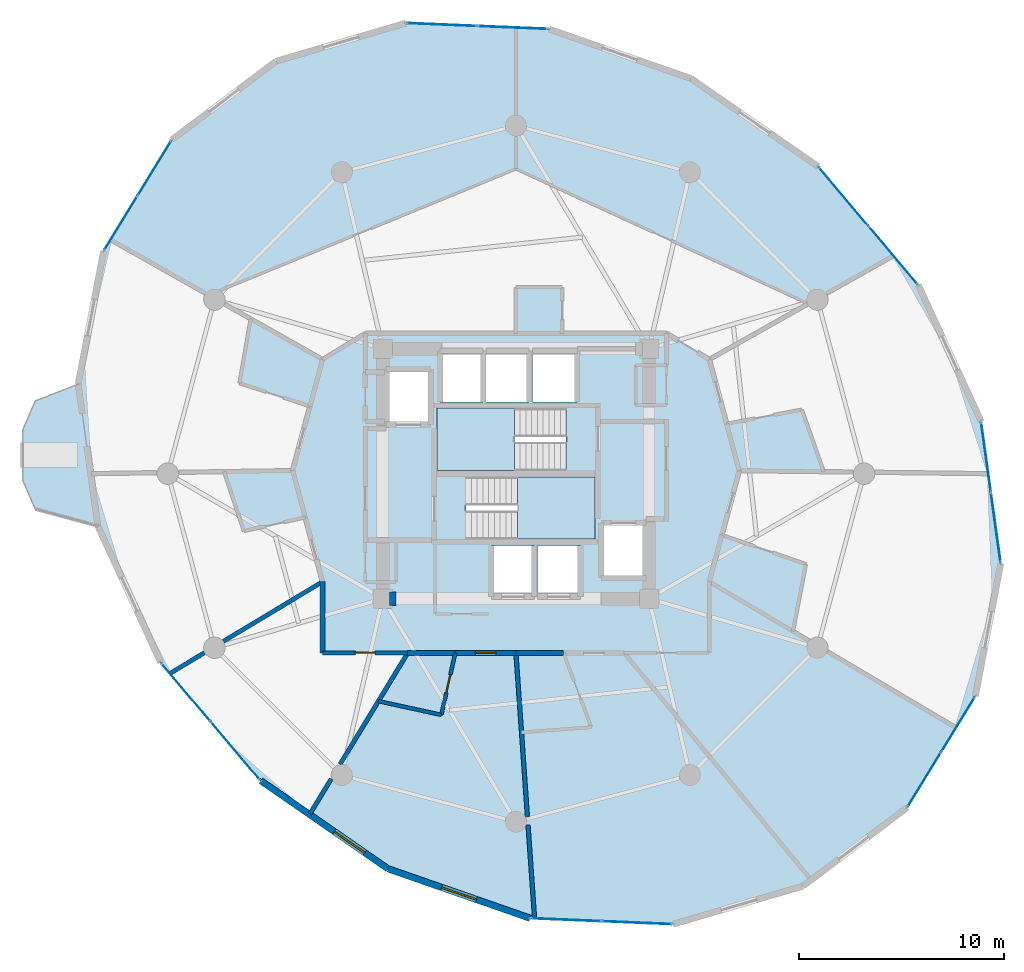
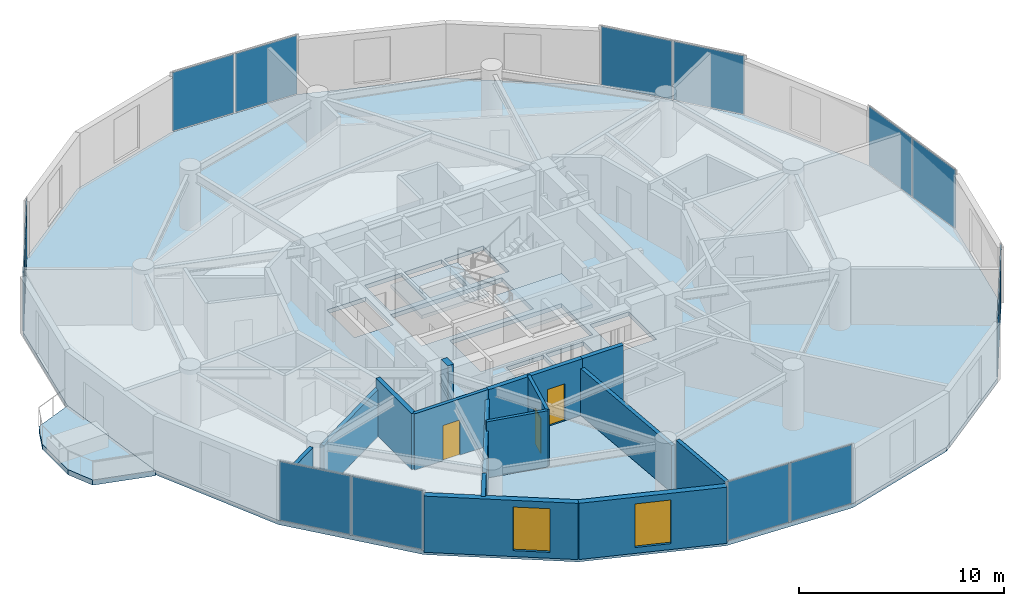
# One storey, part 17 of 23: 16 walls, 14 plates, 4 slabs, 3 doors, 2 windows, 5 openings, 9 elements without a shape of their own.
"""IFC4 building model written with IfcOpenShell, lengths in metres."""

import ifcopenshell
import ifcopenshell.guid

model = None  # the IFC model being written
_history = None  # IfcOwnerHistory: only IFC2X3 demands one
_inside = {}  # id of a spatial element -> (the spatial element, [elements in it])
_under = {}  # id of a project, library or spatial element -> (it, [spatial elements below it])
_declared = {}  # id of a project -> (the project, [libraries it declares])
_typed = {}  # id of a type object -> (the type object, [elements of that type])
_made_of = {}  # id of a material, layer set ... -> (it, [elements and type objects made of it])


def new_model(schema):
    """Start an empty IFC model of exactly this schema.

    Asked for "IFC4X3", IfcOpenShell would pick the latest addendum, in which some entities
    have other attributes; the version numbers below select the first issue.
    IFC2X3 requires an IfcOwnerHistory on every rooted entity: one is made here for all.
    """
    global model, _history
    if schema == "IFC4X3":
        model = ifcopenshell.file(schema_version=(4, 3, 0, 0))
    else:
        model = ifcopenshell.file(schema=schema)
    _inside.clear()
    _under.clear()
    _declared.clear()
    _typed.clear()
    _made_of.clear()
    _history = None
    if model.schema == "IFC2X3":
        org = make("IfcOrganization", Name="unknown")
        user = make(
            "IfcPersonAndOrganization",
            ThePerson=make("IfcPerson", FamilyName="unknown"),
            TheOrganization=org,
        )
        app = make(
            "IfcApplication",
            ApplicationDeveloper=org,
            Version="unknown",
            ApplicationFullName="unknown",
            ApplicationIdentifier="unknown",
        )
        _history = make(
            "IfcOwnerHistory",
            OwningUser=user,
            OwningApplication=app,
            ChangeAction="ADDED",
            CreationDate=0,
        )
    return model


def make(cls, **values):
    """One entity of the class cls with the attributes given. An attribute that is None is left unset."""
    return model.create_entity(
        cls, **{name: value for name, value in values.items() if value is not None}
    )


def rooted(cls, **values):
    """An entity with a GlobalId (a new one), such as an element, a storey or a relation."""
    return make(cls, GlobalId=ifcopenshell.guid.new(), OwnerHistory=_history, **values)


def si_unit(unit_type, name, prefix=None):
    """IfcSIUnit, for example si_unit("LENGTHUNIT", "METRE", prefix="MILLI")."""
    return make("IfcSIUnit", UnitType=unit_type, Prefix=prefix, Name=name)


def assignment(units):
    """IfcUnitAssignment: the units of a project."""
    return None if units is None else make("IfcUnitAssignment", Units=units)


def point(xyz):
    """IfcCartesianPoint."""
    return None if xyz is None else make("IfcCartesianPoint", Coordinates=xyz)


def direction(xyz):
    """IfcDirection."""
    return None if xyz is None else make("IfcDirection", DirectionRatios=xyz)


def frame(location, z_axis=None, x_axis=None):
    """IfcAxis2Placement3D, a coordinate frame: its origin and axes. An axis left out is left unset."""
    return make(
        "IfcAxis2Placement3D",
        Location=point(location),
        Axis=direction(z_axis),
        RefDirection=direction(x_axis),
    )


def frame_2d(location, x_axis=None):
    """IfcAxis2Placement2D, a coordinate frame in the plane: its origin and x axis."""
    return make(
        "IfcAxis2Placement2D", Location=point(location), RefDirection=direction(x_axis)
    )


def origin():
    """The frame at (0, 0, 0) with its axes left unset."""
    return frame((0.0, 0.0, 0.0))


def origin_2d():
    """The frame at (0, 0) in the plane with its x axis left unset."""
    return frame_2d((0.0, 0.0))


def place(relative_to, where):
    """IfcLocalPlacement: puts the frame where relative to a parent placement (None: the world)."""
    return make(
        "IfcLocalPlacement", PlacementRelTo=relative_to, RelativePlacement=where
    )


def context(
    kind, dimensions, precision=None, world=None, true_north=None, identifier=None
):
    """IfcGeometricRepresentationContext, for example the 3D "Model" context."""
    return make(
        "IfcGeometricRepresentationContext",
        ContextIdentifier=identifier,
        ContextType=kind,
        CoordinateSpaceDimension=dimensions,
        Precision=precision,
        WorldCoordinateSystem=world,
        TrueNorth=true_north,
    )


def subcontext(parent, identifier, kind, view, scale=None):
    """IfcGeometricRepresentationSubContext, for example "Body" below "Model"."""
    return make(
        "IfcGeometricRepresentationSubContext",
        ContextIdentifier=identifier,
        ContextType=kind,
        ParentContext=parent,
        TargetScale=scale,
        TargetView=view,
    )


def project(units=None, contexts=None):
    """IfcProject with its units and contexts."""
    return rooted(
        "IfcProject",
        Name="project",
        RepresentationContexts=contexts,
        UnitsInContext=assignment(units),
    )


def spatial(cls, under=None, at=None, **own):
    """A site, building, storey or space (cls), placed at a placement, below another one or the project."""
    s = rooted(cls, ObjectPlacement=at, **own)
    if under is not None:
        _under.setdefault(under.id(), (under, []))[1].append(s)
    return s


def polyline(points):
    """IfcPolyline through the points."""
    return make("IfcPolyline", Points=[point(p) for p in points])


def profile(cls, at=None, kind="AREA", **sizes):
    """A parametric profile (cls). Its sizes go by their IFC names, for example OverallWidth=200.0."""
    return make(cls, ProfileType=kind, Position=at, **sizes)


def rectangle(**sizes):
    """IfcRectangleProfileDef."""
    return profile("IfcRectangleProfileDef", **sizes)


def outline(outer, holes=None, kind="AREA"):
    """IfcArbitraryClosedProfileDef: a profile drawn as a closed curve; with holes, ...WithVoids."""
    if holes is None:
        return make("IfcArbitraryClosedProfileDef", ProfileType=kind, OuterCurve=outer)
    return make(
        "IfcArbitraryProfileDefWithVoids",
        ProfileType=kind,
        OuterCurve=outer,
        InnerCurves=holes,
    )


def extrude(swept, where, along, depth):
    """IfcExtrudedAreaSolid: the profile swept, set in the frame where, extruded along a direction by depth."""
    return make(
        "IfcExtrudedAreaSolid",
        SweptArea=swept,
        Position=where,
        ExtrudedDirection=direction(along),
        Depth=depth,
    )


def shape(context_of_items, identifier, shape_type, items):
    """IfcShapeRepresentation: the items that make up one representation, for example the "Body"."""
    return make(
        "IfcShapeRepresentation",
        ContextOfItems=context_of_items,
        RepresentationIdentifier=identifier,
        RepresentationType=shape_type,
        Items=items,
    )


def source(mapping_origin, context_of_items, identifier, shape_type, items):
    """IfcRepresentationMap: a shape defined once, which mapped items show again and again."""
    return make(
        "IfcRepresentationMap",
        MappingOrigin=mapping_origin,
        MappedRepresentation=shape(context_of_items, identifier, shape_type, items),
    )


def transform(
    local_origin,
    x_axis=None,
    y_axis=None,
    z_axis=None,
    scale=None,
    scale2=None,
    scale3=None,
    uniform=True,
):
    """IfcCartesianTransformationOperator3D, or its non-uniform kind. x_axis, y_axis, z_axis: its Axis1, 2, 3."""
    if uniform:
        return make(
            "IfcCartesianTransformationOperator3D",
            Axis1=direction(x_axis),
            Axis2=direction(y_axis),
            LocalOrigin=point(local_origin),
            Scale=scale,
            Axis3=direction(z_axis),
        )
    return make(
        "IfcCartesianTransformationOperator3DnonUniform",
        Axis1=direction(x_axis),
        Axis2=direction(y_axis),
        LocalOrigin=point(local_origin),
        Scale=scale,
        Axis3=direction(z_axis),
        Scale2=scale2,
        Scale3=scale3,
    )


def mapped(mapping_source, mapping_target):
    """IfcMappedItem: shows the shape of a source again, moved by a transform."""
    return make(
        "IfcMappedItem", MappingSource=mapping_source, MappingTarget=mapping_target
    )


def material(Name=None, Category=None):
    """IfcMaterial."""
    return make("IfcMaterial", Name=Name, Category=Category)


def layer(
    of_material, thickness, ventilated=None, Name=None, Category=None, Priority=None
):
    """IfcMaterialLayer: one layer of a wall or slab, of a material (None: an air gap)."""
    return make(
        "IfcMaterialLayer",
        Material=of_material,
        LayerThickness=thickness,
        IsVentilated=ventilated,
        Name=Name,
        Category=Category,
        Priority=Priority,
    )


def layer_set(layers, Name=None):
    """IfcMaterialLayerSet."""
    return make("IfcMaterialLayerSet", MaterialLayers=layers, LayerSetName=Name)


def made_of(thing, what):
    """Note that an element or type object is made of a material, layer set ...; save() writes the relation."""
    if what is not None:
        _made_of.setdefault(what.id(), (what, []))[1].append(thing)
    return thing


def type_object(cls, material=None, **own):
    """A type object (cls), such as IfcWallType, which elements share."""
    return made_of(rooted(cls, **own), material)


def element(
    cls,
    number,
    at=None,
    inside=None,
    cuts=None,
    type_object=None,
    material=None,
    context=None,
    identifier="Body",
    shape_type=None,
    held_by="IfcProductDefinitionShape",
    body=None,
    shapes=None,
    **own,
):
    """One element of the class cls, such as IfcWall. Its Tag is "e" and its number.

    at: its placement. inside: the storey or other place that contains it. cuts: it is an
    opening in that element (IfcRelVoidsElement). A single representation is given by context,
    identifier, shape_type and body (its items); several are given by shapes. held_by: the class
    of the entity that holds the representations. save() writes the other relations.
    """
    e = rooted(cls, Tag="e%d" % number, ObjectPlacement=at, **own)
    if body is not None:
        shapes = [shape(context, identifier, shape_type, body)]
    if shapes is not None:
        e.Representation = make(held_by, Representations=shapes)
    if inside is not None:
        _inside.setdefault(inside.id(), (inside, []))[1].append(e)
    if cuts is not None:
        rooted(
            "IfcRelVoidsElement", RelatingBuildingElement=cuts, RelatedOpeningElement=e
        )
    if type_object is not None:
        _typed.setdefault(type_object.id(), (type_object, []))[1].append(e)
    return made_of(e, material)


def fill(opening, filler):
    """IfcRelFillsElement: the door or window that sits in an opening."""
    return rooted(
        "IfcRelFillsElement",
        RelatingOpeningElement=opening,
        RelatedBuildingElement=filler,
    )


def aggregate(whole, parts):
    """IfcRelAggregates: a whole, such as a stair, and the parts it consists of."""
    return rooted("IfcRelAggregates", RelatingObject=whole, RelatedObjects=parts)


def save(model, path):
    """Write the relations noted so far, then the file.

    IfcRelAggregates (storeys below a building ...), IfcRelContainedInSpatialStructure (elements
    in a storey), IfcRelDefinesByType, IfcRelAssociatesMaterial and IfcRelDeclares: one each for
    every whole, place, type object, material and project.
    """
    for whole, parts in _under.values():
        aggregate(whole, parts)
    for where, things in _inside.values():
        rooted(
            "IfcRelContainedInSpatialStructure",
            RelatedElements=things,
            RelatingStructure=where,
        )
    for kind, things in _typed.values():
        rooted("IfcRelDefinesByType", RelatedObjects=things, RelatingType=kind)
    for what, things in _made_of.values():
        rooted("IfcRelAssociatesMaterial", RelatedObjects=things, RelatingMaterial=what)
    for by, libraries in _declared.values():
        rooted("IfcRelDeclares", RelatingContext=by, RelatedDefinitions=libraries)
    model.write(path)


model = new_model("IFC4")

# Units and contexts
model_context = context("Model", 3, precision=1e-05, world=origin(), true_north=direction((0.0, 1.0)))
body_context = subcontext(model_context, "Body", "Model", "MODEL_VIEW")
ifc_project = project(units=[si_unit("LENGTHUNIT", "METRE"), si_unit("AREAUNIT", "SQUARE_METRE"), si_unit("VOLUMEUNIT", "CUBIC_METRE"), si_unit("PLANEANGLEUNIT", "RADIAN"), si_unit("MASSUNIT", "GRAM", prefix="KILO")], contexts=[model_context])

# Site, building, storey
site_placement = place(None, origin())
site = spatial("IfcSite", under=ifc_project, at=site_placement, CompositionType="ELEMENT")
building_placement = place(site_placement, origin())
building = spatial("IfcBuilding", under=site, at=building_placement, Name="Solvirekh Grand Hotel", CompositionType="ELEMENT")
storey_placement = place(building_placement, frame((0.0, 0.0, 138.60009765625)))
storey = spatial("IfcBuildingStorey", under=building, at=storey_placement, Name="L35", CompositionType="ELEMENT", Elevation=138.60009765625)

# Slab
ifc_material_1 = material(Name="Concrete C50/60", Category="concrete")
ifc_layer_1 = layer(ifc_material_1, 0.31005859375)
ifc_layer_set_1 = layer_set([ifc_layer_1], Name="Concrete C50/60")
slab_type_1 = type_object("IfcSlabType", Name="ExtHornSkyGarden_310", PredefinedType="FLOOR", material=ifc_layer_set_1)
slab_1_placement = place(storey_placement, frame((0.0, 0.0, -0.31005859375)))
element("IfcSlab", 1, at=slab_1_placement, inside=storey, type_object=slab_type_1, Name="L35 west horn sky-garden deck", PredefinedType="FLOOR", context=body_context, shape_type="SweptSolid", body=[
    extrude(outline(polyline([(-23.47607421875, 3.544921875), (-24.075927734375, 2.160888671875), (-24.075927734375, -0.33203125), (-23.47607421875, -1.716064453125), (-20.416015625, -2.547119140625), (-21.3759765625, 4.3759765625), (-23.47607421875, 3.544921875)])), origin(), (0.0, 0.0, 1.0), 0.31005859375),
])

# Stair, slab
ifc_material_2 = material(Name="Concrete C40/50", Category="concrete")
stair_type = type_object("IfcStairType", Name="Stair_Core_1450", PredefinedType="HALF_TURN_STAIR", material=ifc_material_2)
stair_1_placement = place(storey_placement, origin())
stair_1 = element("IfcStair", 2, at=stair_1_placement, inside=storey, type_object=stair_type, Name="L35 Enclosed exit stair ST-1", PredefinedType="HALF_TURN_STAIR")
ifc_layer_2 = layer(ifc_material_2, 0.199951171875)
ifc_layer_set_2 = layer_set([ifc_layer_2], Name="Concrete C40/50")
slab_type_2 = type_object("IfcSlabType", Name="Landing_Stair_200", PredefinedType="LANDING", material=ifc_layer_set_2)
slab_2_placement = place(storey_placement, frame((0.0, 0.0, 1.599853515625)))
slab_2 = element("IfcSlab", 3, at=slab_2_placement, type_object=slab_type_2, Name="ST-1 landing 1", PredefinedType="LANDING", context=body_context, shape_type="SweptSolid", body=[
    extrude(outline(polyline([(0.070068359375, -3.199951171875), (3.85009765625, -3.199951171875), (3.85009765625, -0.14990234375), (0.070068359375, -0.14990234375), (0.070068359375, -3.199951171875)])), origin(), (0.0, 0.0, 1.0), 0.199951171875),
])
aggregate(stair_1, [slab_2])

stair_2_placement = place(storey_placement, origin())
stair_2 = element("IfcStair", 4, at=stair_2_placement, inside=storey, type_object=stair_type, Name="L35 Enclosed exit stair ST-2", PredefinedType="HALF_TURN_STAIR")
slab_3_placement = place(storey_placement, frame((0.0, 0.0, 1.599853515625)))
slab_3 = element("IfcSlab", 5, at=slab_3_placement, type_object=slab_type_2, Name="ST-2 landing 1", PredefinedType="LANDING", context=body_context, shape_type="SweptSolid", body=[
    extrude(outline(polyline([(-0.070068359375, 3.199951171875), (-3.85009765625, 3.199951171875), (-3.85009765625, 0.14990234375), (-0.070068359375, 0.14990234375), (-0.070068359375, 3.199951171875)])), origin(), (0.0, 0.0, 1.0), 0.199951171875),
])
aggregate(stair_2, [slab_3])

# Slab
ifc_layer_3 = layer(ifc_material_1, 0.25)
ifc_layer_set_3 = layer_set([ifc_layer_3], Name="Concrete C50/60")
slab_type_3 = type_object("IfcSlabType", Name="Slab_GuestZ2_250", PredefinedType="FLOOR", material=ifc_layer_set_3)
slab_4_placement = place(storey_placement, frame((0.0, 0.0, -0.25)))
element("IfcSlab", 6, at=slab_4_placement, inside=storey, type_object=slab_type_3, Name="L35 structural floor slab", PredefinedType="FLOOR", context=body_context, shape_type="SweptSolid", body=[
    extrude(outline(polyline([(19.10302734375, -16.302001953125), (22.430908203125, -10.87109375), (23.676025390625, -4.3759765625), (22.716064453125, 2.547119140625), (19.64404296875, 9.220947265625), (14.762939453125, 14.991943359375), (8.549072265625, 19.2958984375), (1.610107421875, 21.7109375), (-5.373046875, 22.0), (-11.718017578125, 20.136962890625), (-16.802978515625, 16.302001953125), (-20.131103515625, 10.87109375), (-21.3759765625, 4.3759765625), (-20.416015625, -2.547119140625), (-17.343994140625, -9.220947265625), (-12.462890625, -14.991943359375), (-6.2490234375, -19.2958984375), (0.68994140625, -21.7109375), (7.673095703125, -22.0), (14.01806640625, -20.136962890625), (19.10302734375, -16.302001953125)]), holes=[polyline([(-2.444091796875, -0.14990234375), (3.85009765625, -0.14990234375), (3.85009765625, -3.199951171875), (-2.444091796875, -3.199951171875), (-2.444091796875, -0.14990234375)]), polyline([(2.444091796875, 0.14990234375), (-3.85009765625, 0.14990234375), (-3.85009765625, 3.199951171875), (2.444091796875, 3.199951171875), (2.444091796875, 0.14990234375)]), polyline([(-1.199951171875, -3.5), (0.89990234375, -3.5), (0.89990234375, -6.0), (-1.199951171875, -6.0), (-1.199951171875, -3.5)]), polyline([(1.050048828125, -3.5), (3.14990234375, -3.5), (3.14990234375, -6.0), (1.050048828125, -6.0), (1.050048828125, -3.5)]), polyline([(-3.699951171875, 6.0), (-1.60009765625, 6.0), (-1.60009765625, 3.5), (-3.699951171875, 3.5), (-3.699951171875, 6.0)]), polyline([(-1.449951171875, 6.0), (0.64990234375, 6.0), (0.64990234375, 3.5), (-1.449951171875, 3.5), (-1.449951171875, 6.0)]), polyline([(0.800048828125, 6.0), (3.0, 6.0), (3.0, 3.5), (0.800048828125, 3.5), (0.800048828125, 6.0)]), polyline([(-6.35009765625, 5.10009765625), (-4.14990234375, 5.10009765625), (-4.14990234375, 2.39990234375), (-6.35009765625, 2.39990234375), (-6.35009765625, 5.10009765625)]), polyline([(4.14990234375, -2.39990234375), (6.35009765625, -2.39990234375), (6.35009765625, -5.10009765625), (4.14990234375, -5.10009765625), (4.14990234375, -2.39990234375)])]), origin(), (0.0, 0.0, 1.0), 0.25),
])

# Curtain wall, plates
ifc_material_3 = material(Name="Anodized Bronze Aluminium 6063-T6", Category="aluminium")
ifc_layer_4 = layer(ifc_material_3, 0.175048828125)
ifc_layer_set_4 = layer_set([ifc_layer_4], Name="Anodized Bronze Aluminium 6063-T6")
curtain_wall_type = type_object("IfcCurtainWallType", Name="CW_Sys3_MidZoneFlushBronzeCW", PredefinedType="NOTDEFINED", material=ifc_layer_set_4)
curtain_wall_1_placement = place(storey_placement, origin())
curtain_wall_1 = element("IfcCurtainWall", 7, at=curtain_wall_1_placement, inside=storey, type_object=curtain_wall_type, Name="L35 unitised bronze-glass curtain wall CW-L35-C03", PredefinedType="NOTDEFINED")
ifc_material_4 = material(Name="Low-E Tinted Bronze Laminated Glass", Category="aluminium")
ifc_layer_5 = layer(ifc_material_4, 0.035888671875)
ifc_layer_set_5 = layer_set([ifc_layer_5], Name="Low-E Tinted Bronze Laminated Glass")
plate_type = type_object("IfcPlateType", Name="CWPanel_Mid_36", PredefinedType="CURTAIN_PANEL", material=ifc_layer_set_5)
shared_shape_1 = source(origin(), body_context, "Body", "SweptSolid", [
    extrude(rectangle(XDim=3.397216796875, YDim=0.035888671875, at=origin_2d()), origin(), (0.0, 0.0, 1.0), 3.489990234375),
])
plate_1_placement = place(storey_placement, frame((23.433837890625, -2.629150390625, 0.0546875), z_axis=(0.0, 0.0, 1.0), x_axis=(-0.137353915019, 0.990522035105, 0.0)))
plate_1 = element("IfcPlate", 8, at=plate_1_placement, type_object=plate_type, Name="U03 panel 1.1", PredefinedType="CURTAIN_PANEL", context=body_context, shape_type="MappedRepresentation", body=[
    mapped(shared_shape_1, transform((0.0, 0.0, 0.0), x_axis=(1.0, 0.0, 0.0), y_axis=(0.0, 1.0, 0.0), z_axis=(0.0, 0.0, 1.0), scale=1.0)),
])
plate_2_placement = place(storey_placement, frame((22.958251953125, 0.800048828125, 0.0546875), z_axis=(0.0, 0.0, 1.0), x_axis=(-0.137353915019, 0.990522035105, 0.0)))
plate_2 = element("IfcPlate", 9, at=plate_2_placement, type_object=plate_type, Name="U03 panel 2.1", PredefinedType="CURTAIN_PANEL", context=body_context, shape_type="MappedRepresentation", body=[
    mapped(shared_shape_1, transform((0.0, 0.0, 0.0), x_axis=(1.0, 0.0, 0.0), y_axis=(0.0, 1.0, 0.0), z_axis=(0.0, 0.0, 1.0), scale=1.0)),
])
aggregate(curtain_wall_1, [plate_1, plate_2])

curtain_wall_2_placement = place(storey_placement, origin())
curtain_wall_2 = element("IfcCurtainWall", 10, at=curtain_wall_2_placement, inside=storey, type_object=curtain_wall_type, Name="L35 unitised bronze-glass curtain wall CW-L35-C08", PredefinedType="NOTDEFINED")
shared_shape_2 = source(origin(), body_context, "Body", "SweptSolid", [
    extrude(rectangle(XDim=3.39697265625, YDim=0.035888671875, at=origin_2d()), origin(), (0.0, 0.0, 1.0), 3.489990234375),
])
plate_3_placement = place(storey_placement, frame((-0.152099609375, 21.783935546875, 0.0546875), z_axis=(0.0, 0.0, 1.0), x_axis=(-0.999144688833, 0.041350825581, 0.0)))
plate_3 = element("IfcPlate", 11, at=plate_3_placement, type_object=plate_type, Name="U03 panel 1.1", PredefinedType="CURTAIN_PANEL", context=body_context, shape_type="MappedRepresentation", body=[
    mapped(shared_shape_2, transform((0.0, 0.0, 0.0), x_axis=(1.0, 0.0, 0.0), y_axis=(0.0, 1.0, 0.0), z_axis=(0.0, 0.0, 1.0), scale=1.0)),
])
plate_4_placement = place(storey_placement, frame((-3.611083984375, 21.927001953125, 0.0546875), z_axis=(0.0, 0.0, 1.0), x_axis=(-0.999144688833, 0.041350825581, 0.0)))
plate_4 = element("IfcPlate", 12, at=plate_4_placement, type_object=plate_type, Name="U03 panel 2.1", PredefinedType="CURTAIN_PANEL", context=body_context, shape_type="MappedRepresentation", body=[
    mapped(shared_shape_2, transform((0.0, 0.0, 0.0), x_axis=(1.0, 0.0, 0.0), y_axis=(0.0, 1.0, 0.0), z_axis=(0.0, 0.0, 1.0), scale=1.0)),
])
aggregate(curtain_wall_2, [plate_3, plate_4])

curtain_wall_3_placement = place(storey_placement, origin())
curtain_wall_3 = element("IfcCurtainWall", 13, at=curtain_wall_3_placement, inside=storey, type_object=curtain_wall_type, Name="L35 unitised bronze-glass curtain wall CW-L35-C18", PredefinedType="NOTDEFINED")
plate_5_placement = place(storey_placement, frame((2.451904296875, -21.783935546875, 0.0546875), z_axis=(0.0, 0.0, 1.0), x_axis=(0.999144688833, -0.041350825581, 0.0)))
plate_5 = element("IfcPlate", 14, at=plate_5_placement, type_object=plate_type, Name="U03 panel 1.1", PredefinedType="CURTAIN_PANEL", context=body_context, shape_type="MappedRepresentation", body=[
    mapped(shared_shape_2, transform((0.0, 0.0, 0.0), x_axis=(1.0, 0.0, 0.0), y_axis=(0.0, 1.0, 0.0), z_axis=(0.0, 0.0, 1.0), scale=1.0)),
])
plate_6_placement = place(storey_placement, frame((5.9111328125, -21.927001953125, 0.0546875), z_axis=(0.0, 0.0, 1.0), x_axis=(0.999144688833, -0.041350825581, 0.0)))
plate_6 = element("IfcPlate", 15, at=plate_6_placement, type_object=plate_type, Name="U03 panel 2.1", PredefinedType="CURTAIN_PANEL", context=body_context, shape_type="MappedRepresentation", body=[
    mapped(shared_shape_2, transform((0.0, 0.0, 0.0), x_axis=(1.0, 0.0, 0.0), y_axis=(0.0, 1.0, 0.0), z_axis=(0.0, 0.0, 1.0), scale=1.0)),
])
aggregate(curtain_wall_3, [plate_5, plate_6])

curtain_wall_4_placement = place(storey_placement, origin())
curtain_wall_4 = element("IfcCurtainWall", 16, at=curtain_wall_4_placement, inside=storey, type_object=curtain_wall_type, Name="L35 unitised bronze-glass curtain wall CW-L35-C05", PredefinedType="NOTDEFINED")
shared_shape_3 = source(origin(), body_context, "Body", "SweptSolid", [
    extrude(rectangle(XDim=3.681640625, YDim=0.035888671875, at=origin_2d()), origin(), (0.0, 0.0, 1.0), 3.489990234375),
])
plate_7_placement = place(storey_placement, frame((18.413330078125, 10.67626953125, 0.0546875), z_axis=(0.0, 0.0, 1.0), x_axis=(-0.645776161764, 0.763526783353, 0.0)))
plate_7 = element("IfcPlate", 17, at=plate_7_placement, type_object=plate_type, Name="U03 panel 1.1", PredefinedType="CURTAIN_PANEL", context=body_context, shape_type="MappedRepresentation", body=[
    mapped(shared_shape_3, transform((0.0, 0.0, 0.0), x_axis=(1.0, 0.0, 0.0), y_axis=(0.0, 1.0, 0.0), z_axis=(0.0, 0.0, 1.0), scale=1.0)),
])
plate_8_placement = place(storey_placement, frame((15.99365234375, 13.536865234375, 0.0546875), z_axis=(0.0, 0.0, 1.0), x_axis=(-0.645776161764, 0.763526783353, 0.0)))
plate_8 = element("IfcPlate", 18, at=plate_8_placement, type_object=plate_type, Name="U03 panel 2.1", PredefinedType="CURTAIN_PANEL", context=body_context, shape_type="MappedRepresentation", body=[
    mapped(shared_shape_3, transform((0.0, 0.0, 0.0), x_axis=(1.0, 0.0, 0.0), y_axis=(0.0, 1.0, 0.0), z_axis=(0.0, 0.0, 1.0), scale=1.0)),
])
aggregate(curtain_wall_4, [plate_7, plate_8])

curtain_wall_5_placement = place(storey_placement, origin())
curtain_wall_5 = element("IfcCurtainWall", 19, at=curtain_wall_5_placement, inside=storey, type_object=curtain_wall_type, Name="L35 unitised bronze-glass curtain wall CW-L35-C15", PredefinedType="NOTDEFINED")
plate_9_placement = place(storey_placement, frame((-16.11328125, -10.67626953125, 0.0546875), z_axis=(0.0, 0.0, 1.0), x_axis=(0.645776161764, -0.763526783353, 0.0)))
plate_9 = element("IfcPlate", 20, at=plate_9_placement, type_object=plate_type, Name="U03 panel 1.1", PredefinedType="CURTAIN_PANEL", context=body_context, shape_type="MappedRepresentation", body=[
    mapped(shared_shape_3, transform((0.0, 0.0, 0.0), x_axis=(1.0, 0.0, 0.0), y_axis=(0.0, 1.0, 0.0), z_axis=(0.0, 0.0, 1.0), scale=1.0)),
])
plate_10_placement = place(storey_placement, frame((-13.69384765625, -13.536865234375, 0.0546875), z_axis=(0.0, 0.0, 1.0), x_axis=(0.645776161764, -0.763526783353, 0.0)))
plate_10 = element("IfcPlate", 21, at=plate_10_placement, type_object=plate_type, Name="U03 panel 2.1", PredefinedType="CURTAIN_PANEL", context=body_context, shape_type="MappedRepresentation", body=[
    mapped(shared_shape_3, transform((0.0, 0.0, 0.0), x_axis=(1.0, 0.0, 0.0), y_axis=(0.0, 1.0, 0.0), z_axis=(0.0, 0.0, 1.0), scale=1.0)),
])
aggregate(curtain_wall_5, [plate_9, plate_10])

curtain_wall_6_placement = place(storey_placement, origin())
curtain_wall_6 = element("IfcCurtainWall", 22, at=curtain_wall_6_placement, inside=storey, type_object=curtain_wall_type, Name="L35 unitised bronze-glass curtain wall CW-L35-C01", PredefinedType="NOTDEFINED")
shared_shape_4 = source(origin(), body_context, "Body", "SweptSolid", [
    extrude(rectangle(XDim=3.08740234375, YDim=0.035888671875, at=origin_2d()), origin(), (0.0, 0.0, 1.0), 3.489990234375),
])
plate_11_placement = place(storey_placement, frame((19.943603515625, -14.930419921875, 0.0546875), z_axis=(0.0, 0.0, 1.0), x_axis=(0.522484745041, 0.852648632908, 0.0)))
plate_11 = element("IfcPlate", 23, at=plate_11_placement, type_object=plate_type, Name="U03 panel 1.1", PredefinedType="CURTAIN_PANEL", context=body_context, shape_type="MappedRepresentation", body=[
    mapped(shared_shape_4, transform((0.0, 0.0, 0.0), x_axis=(1.0, 0.0, 0.0), y_axis=(0.0, 1.0, 0.0), z_axis=(0.0, 0.0, 1.0), scale=1.0)),
])
plate_12_placement = place(storey_placement, frame((21.590576171875, -12.24267578125, 0.0546875), z_axis=(0.0, 0.0, 1.0), x_axis=(0.522484745041, 0.852648632908, 0.0)))
plate_12 = element("IfcPlate", 24, at=plate_12_placement, type_object=plate_type, Name="U03 panel 2.1", PredefinedType="CURTAIN_PANEL", context=body_context, shape_type="MappedRepresentation", body=[
    mapped(shared_shape_4, transform((0.0, 0.0, 0.0), x_axis=(1.0, 0.0, 0.0), y_axis=(0.0, 1.0, 0.0), z_axis=(0.0, 0.0, 1.0), scale=1.0)),
])
aggregate(curtain_wall_6, [plate_11, plate_12])

curtain_wall_7_placement = place(storey_placement, origin())
curtain_wall_7 = element("IfcCurtainWall", 25, at=curtain_wall_7_placement, inside=storey, type_object=curtain_wall_type, Name="L35 unitised bronze-glass curtain wall CW-L35-C11", PredefinedType="NOTDEFINED")
plate_13_placement = place(storey_placement, frame((-17.6435546875, 14.930419921875, 0.0546875), z_axis=(0.0, 0.0, 1.0), x_axis=(-0.522484745041, -0.852648632908, 0.0)))
plate_13 = element("IfcPlate", 26, at=plate_13_placement, type_object=plate_type, Name="U03 panel 1.1", PredefinedType="CURTAIN_PANEL", context=body_context, shape_type="MappedRepresentation", body=[
    mapped(shared_shape_4, transform((0.0, 0.0, 0.0), x_axis=(1.0, 0.0, 0.0), y_axis=(0.0, 1.0, 0.0), z_axis=(0.0, 0.0, 1.0), scale=1.0)),
])
plate_14_placement = place(storey_placement, frame((-19.29052734375, 12.24267578125, 0.0546875), z_axis=(0.0, 0.0, 1.0), x_axis=(-0.522484745041, -0.852648632908, 0.0)))
plate_14 = element("IfcPlate", 27, at=plate_14_placement, type_object=plate_type, Name="U03 panel 2.1", PredefinedType="CURTAIN_PANEL", context=body_context, shape_type="MappedRepresentation", body=[
    mapped(shared_shape_4, transform((0.0, 0.0, 0.0), x_axis=(1.0, 0.0, 0.0), y_axis=(0.0, 1.0, 0.0), z_axis=(0.0, 0.0, 1.0), scale=1.0)),
])
aggregate(curtain_wall_7, [plate_13, plate_14])

# Wall
ifc_layer_6 = layer(ifc_material_1, 0.64990234375)
ifc_layer_set_6 = layer_set([ifc_layer_6], Name="Concrete C50/60")
wall_type_1 = type_object("IfcWallType", Name="CoreWall_RC650", PredefinedType="SHEAR", material=ifc_layer_set_6)
wall_1_placement = place(storey_placement, frame((-6.175048828125, -6.10009765625, 0.0), z_axis=(0.0, 0.0, 1.0), x_axis=(1.0, 0.0, 0.0)))
element("IfcWall", 28, at=wall_1_placement, inside=storey, type_object=wall_type_1, Name="L35 core corner shear wall SW-S", PredefinedType="SHEAR", context=body_context, shape_type="SweptSolid", body=[
    extrude(rectangle(XDim=0.324951171875, YDim=0.64990234375, at=frame_2d((0.16259765625, 0.0))), origin(), (0.0, 0.0, 1.0), 3.599853515625),
])

# Wall, opening, window
ifc_material_5 = material(Name="Precast concrete C45/55", Category="concrete")
ifc_layer_7 = layer(ifc_material_5, 0.320068359375)
ifc_layer_set_7 = layer_set([ifc_layer_7], Name="Precast concrete C45/55")
wall_type_2 = type_object("IfcWallType", Name="ExtLobbyWall_RC320", PredefinedType="SOLIDWALL", material=ifc_layer_set_7)
wall_2_placement = place(storey_placement, frame((-6.2490234375, -19.2958984375, 0.0), z_axis=(0.0, 0.0, 1.0), x_axis=(-0.822065431331, 0.569393033511, 0.0)))
wall_2 = element("IfcWall", 29, at=wall_2_placement, inside=storey, type_object=wall_type_2, Name="L35 exterior structural wall chord 16", PredefinedType="SOLIDWALL", context=body_context, shape_type="SweptSolid", body=[
    extrude(rectangle(XDim=7.558837890625, YDim=0.320068359375, at=frame_2d((3.779296875, 0.0))), origin(), (0.0, 0.0, 1.0), 3.349853515625),
])
opening_1_placement = place(wall_2_placement, frame((1.381103515625, 0.0, 0.35009765625)))
opening_1 = element("IfcOpeningElement", 30, at=opening_1_placement, cuts=wall_2, Name="Opening W02", PredefinedType="OPENING", context=body_context, shape_type="SweptSolid", body=[
    extrude(rectangle(XDim=1.800048828125, YDim=2.60009765625, at=frame_2d((0.89990234375, 1.300048828125))), frame((0.0, 0.169921875, 0.0), z_axis=(0.0, -1.0, 0.0), x_axis=(1.0, 0.0, 0.0)), (0.0, 0.0, 1.0), 0.340087890625),
])
window_type = type_object("IfcWindowType", Name="Win_LobbyExt_1800X2600", PartitioningType="SINGLE_PANEL", PredefinedType="WINDOW", material=ifc_material_4)
window_1_placement = place(opening_1_placement, origin())
window_1 = element("IfcWindow", 31, at=window_1_placement, inside=storey, type_object=window_type, Name="L35 panoramic bronze-framed window 16", OverallHeight=2.60009765625, OverallWidth=1.800048828125, PartitioningType="SINGLE_PANEL", PredefinedType="WINDOW", context=body_context, shape_type="SweptSolid", body=[
    extrude(rectangle(XDim=1.800048828125, YDim=2.60009765625, at=frame_2d((0.89990234375, 1.300048828125))), frame((0.0, 0.030029296875, 0.0), z_axis=(0.0, -1.0, 0.0), x_axis=(1.0, 0.0, 0.0)), (0.0, 0.0, 1.0), 0.06005859375),
])
fill(opening_1, window_1)

wall_3_placement = place(storey_placement, frame((0.68994140625, -21.7109375, 0.0), z_axis=(0.0, 0.0, 1.0), x_axis=(-0.94443401985, 0.328701052859, 0.0)))
wall_3 = element("IfcWall", 32, at=wall_3_placement, inside=storey, type_object=wall_type_2, Name="L35 exterior structural wall chord 17", PredefinedType="SOLIDWALL", context=body_context, shape_type="SweptSolid", body=[
    extrude(rectangle(XDim=7.34716796875, YDim=0.320068359375, at=frame_2d((3.673583984375, 0.0))), origin(), (0.0, 0.0, 1.0), 3.349853515625),
])
opening_2_placement = place(wall_3_placement, frame((2.77392578125, 0.0, 0.35009765625)))
opening_2 = element("IfcOpeningElement", 33, at=opening_2_placement, cuts=wall_3, Name="Opening W02", PredefinedType="OPENING", context=body_context, shape_type="SweptSolid", body=[
    extrude(rectangle(XDim=1.800048828125, YDim=2.60009765625, at=frame_2d((0.89990234375, 1.300048828125))), frame((0.0, 0.169921875, 0.0), z_axis=(0.0, -1.0, 0.0), x_axis=(1.0, 0.0, 0.0)), (0.0, 0.0, 1.0), 0.340087890625),
])
window_2_placement = place(opening_2_placement, origin())
window_2 = element("IfcWindow", 34, at=window_2_placement, inside=storey, type_object=window_type, Name="L35 panoramic bronze-framed window 17", OverallHeight=2.60009765625, OverallWidth=1.800048828125, PartitioningType="SINGLE_PANEL", PredefinedType="WINDOW", context=body_context, shape_type="SweptSolid", body=[
    extrude(rectangle(XDim=1.800048828125, YDim=2.60009765625, at=frame_2d((0.89990234375, 1.300048828125))), frame((0.0, 0.030029296875, 0.0), z_axis=(0.0, -1.0, 0.0), x_axis=(1.0, 0.0, 0.0)), (0.0, 0.0, 1.0), 0.06005859375),
])
fill(opening_2, window_2)

# Walls
ifc_material_6 = material(Name="Acoustic Gypsum Partition Assembly")
ifc_layer_8 = layer(ifc_material_6, 0.239990234375)
ifc_layer_set_8 = layer_set([ifc_layer_8], Name="Acoustic Gypsum Partition Assembly")
wall_type_3 = type_object("IfcWallType", Name="Part_Corridor_240", PredefinedType="PARTITIONING", material=ifc_layer_set_8)
wall_4_placement = place(storey_placement, frame((-9.43994140625, -5.27490234375, 0.0), z_axis=(0.0, 0.0, 1.0), x_axis=(0.0, -1.0, 0.0)))
element("IfcWall", 35, at=wall_4_placement, inside=storey, type_object=wall_type_3, Name="L35 L35 Presidential Reception corridor wall 1", PredefinedType="PARTITIONING", context=body_context, shape_type="SweptSolid", body=[
    extrude(rectangle(XDim=3.47509765625, YDim=0.239990234375, at=frame_2d((1.737548828125, 0.0))), origin(), (0.0, 0.0, 1.0), 3.349853515625),
])
wall_5_placement = place(storey_placement, frame((-5.285888671875, -8.75, 0.0), z_axis=(0.0, 0.0, 1.0), x_axis=(1.0, 0.0, 0.0)))
element("IfcWall", 36, at=wall_5_placement, inside=storey, type_object=wall_type_3, Name="L35 En-suite Bathroom 3706 corridor backing wall", PredefinedType="PARTITIONING", context=body_context, shape_type="SweptSolid", body=[
    extrude(rectangle(XDim=2.325927734375, YDim=0.239990234375, at=frame_2d((1.1630859375, 0.0))), origin(), (0.0, 0.0, 1.0), 3.349853515625),
])

# Wall, opening, door
wall_6_placement = place(storey_placement, frame((-2.9599609375, -8.75, 0.0), z_axis=(0.0, 0.0, 1.0), x_axis=(1.0, 0.0, 0.0)))
wall_6 = element("IfcWall", 37, at=wall_6_placement, inside=storey, type_object=wall_type_3, Name="L35 Deluxe Guestroom 3706 entrance wall", PredefinedType="PARTITIONING", context=body_context, shape_type="SweptSolid", body=[
    extrude(rectangle(XDim=2.9599609375, YDim=0.239990234375, at=frame_2d((1.47998046875, 0.0))), origin(), (0.0, 0.0, 1.0), 3.349853515625),
])
opening_3_placement = place(wall_6_placement, frame((0.97998046875, 0.0, 0.0)))
opening_3 = element("IfcOpeningElement", 38, at=opening_3_placement, cuts=wall_6, Name="Opening D07", PredefinedType="OPENING", context=body_context, shape_type="SweptSolid", body=[
    extrude(rectangle(XDim=1.0, YDim=2.199951171875, at=frame_2d((0.5, 1.10009765625))), frame((0.0, 0.1298828125, 0.0), z_axis=(0.0, -1.0, 0.0), x_axis=(1.0, 0.0, 0.0)), (0.0, 0.0, 1.0), 0.260009765625),
])
ifc_material_7 = material(Name="Fire-Rated Steel Door Assembly", Category="steel")
door_type_1 = type_object("IfcDoorType", Name="Door_GuestEntry_1000X2200", OperationType="NOTDEFINED", PredefinedType="DOOR", material=ifc_material_7)
door_1_placement = place(opening_3_placement, origin())
door_1 = element("IfcDoor", 39, at=door_1_placement, inside=storey, type_object=door_type_1, Name="L35 Deluxe Guestroom 3706 entrance door", OperationType="SINGLE_SWING_RIGHT", OverallHeight=2.199951171875, OverallWidth=1.0, PredefinedType="DOOR", context=body_context, shape_type="SweptSolid", body=[
    extrude(rectangle(XDim=1.0, YDim=2.199951171875, at=frame_2d((0.5, 1.10009765625))), frame((0.0, 0.02490234375, 0.0), z_axis=(0.0, -1.0, 0.0), x_axis=(1.0, 0.0, 0.0)), (0.0, 0.0, 1.0), 0.050048828125),
])
fill(opening_3, door_1)

# Wall
wall_7_placement = place(storey_placement, frame((0.0, -8.75, 0.0), z_axis=(0.0, 0.0, 1.0), x_axis=(1.0, 0.0, 0.0)))
element("IfcWall", 40, at=wall_7_placement, inside=storey, type_object=wall_type_3, Name="L35 En-suite Bathroom 3707 corridor backing wall", PredefinedType="PARTITIONING", context=body_context, shape_type="SweptSolid", body=[
    extrude(rectangle(XDim=2.325927734375, YDim=0.239990234375, at=frame_2d((1.1630859375, 0.0))), origin(), (0.0, 0.0, 1.0), 3.349853515625),
])

# Wall, opening, door
ifc_layer_9 = layer(ifc_material_6, 0.18994140625)
ifc_layer_set_9 = layer_set([ifc_layer_9], Name="Acoustic Gypsum Partition Assembly")
wall_type_4 = type_object("IfcWallType", Name="Part_GuestDemise_190", PredefinedType="PARTITIONING", material=ifc_layer_set_9)
wall_8_placement = place(storey_placement, frame((-9.43994140625, -8.75, 0.0), z_axis=(0.0, 0.0, 1.0), x_axis=(1.0, 0.0, 0.0)))
wall_8 = element("IfcWall", 41, at=wall_8_placement, inside=storey, type_object=wall_type_4, Name="L35 L35 Presidential Reception entrance wall", PredefinedType="PARTITIONING", context=body_context, shape_type="SweptSolid", body=[
    extrude(rectangle(XDim=4.154052734375, YDim=0.18994140625, at=frame_2d((2.0771484375, 0.0))), origin(), (0.0, 0.0, 1.0), 3.349853515625),
])
opening_4_placement = place(wall_8_placement, frame((1.60205078125, 0.0, 0.0)))
opening_4 = element("IfcOpeningElement", 42, at=opening_4_placement, cuts=wall_8, Name="Opening D10", PredefinedType="OPENING", context=body_context, shape_type="SweptSolid", body=[
    extrude(rectangle(XDim=0.949951171875, YDim=2.10009765625, at=frame_2d((0.47509765625, 1.050048828125))), frame((0.0, 0.10498046875, 0.0), z_axis=(0.0, -1.0, 0.0), x_axis=(1.0, 0.0, 0.0)), (0.0, 0.0, 1.0), 0.2099609375),
])
door_type_2 = type_object("IfcDoorType", Name="Door_RoomInt_950X2100", OperationType="NOTDEFINED", PredefinedType="DOOR", material=ifc_material_3)
door_2_placement = place(opening_4_placement, origin())
door_2 = element("IfcDoor", 43, at=door_2_placement, inside=storey, type_object=door_type_2, Name="L35 L35 Presidential Reception entrance door", OperationType="SINGLE_SWING_RIGHT", OverallHeight=2.10009765625, OverallWidth=0.949951171875, PredefinedType="DOOR", context=body_context, shape_type="SweptSolid", body=[
    extrude(rectangle(XDim=0.949951171875, YDim=2.10009765625, at=frame_2d((0.47509765625, 1.050048828125))), frame((0.0, 0.02490234375, 0.0), z_axis=(0.0, -1.0, 0.0), x_axis=(1.0, 0.0, 0.0)), (0.0, 0.0, 1.0), 0.050048828125),
])
fill(opening_4, door_2)

# Walls
ifc_layer_10 = layer(ifc_material_6, 0.2099609375)
ifc_layer_set_10 = layer_set([ifc_layer_10], Name="Acoustic Gypsum Partition Assembly")
wall_type_5 = type_object("IfcWallType", Name="Part_SuiteDemise_210", PredefinedType="PARTITIONING", material=ifc_layer_set_10)
wall_9_placement = place(storey_placement, frame((-9.43994140625, -5.27490234375, 0.0), z_axis=(0.0, 0.0, 1.0), x_axis=(-0.857122593302, -0.515112473206, 0.0)))
element("IfcWall", 44, at=wall_9_placement, inside=storey, type_object=wall_type_5, Name="L35 suite radial wall 8 (A)", PredefinedType="PARTITIONING", context=body_context, shape_type="SweptSolid", body=[
    extrude(rectangle(XDim=5.645751953125, YDim=0.2099609375, at=frame_2d((2.82275390625, 0.0))), origin(), (0.0, 0.0, 1.0), 2.791015625),
])
wall_10_placement = place(storey_placement, frame((-15.2099609375, -8.742919921875, 0.0), z_axis=(0.0, 0.0, 1.0), x_axis=(-0.857123184111, -0.515111490125, 0.0)))
element("IfcWall", 45, at=wall_10_placement, inside=storey, type_object=wall_type_5, Name="L35 suite radial wall 8 (B)", PredefinedType="PARTITIONING", context=body_context, shape_type="SweptSolid", body=[
    extrude(rectangle(XDim=1.923828125, YDim=0.2099609375, at=frame_2d((0.9619140625, 0.0))), origin(), (0.0, 0.0, 1.0), 3.349853515625),
])
wall_11_placement = place(storey_placement, frame((-5.285888671875, -8.75, 0.0), z_axis=(0.0, 0.0, 1.0), x_axis=(-0.519068318579, -0.854732753934, 0.0)))
element("IfcWall", 46, at=wall_11_placement, inside=storey, type_object=wall_type_5, Name="L35 L35 Presidential Reception dividing partition 1 (A)", PredefinedType="PARTITIONING", context=body_context, shape_type="SweptSolid", body=[
    extrude(rectangle(XDim=6.357666015625, YDim=0.2099609375, at=frame_2d((3.1787109375, 0.0))), origin(), (0.0, 0.0, 1.0), 2.791015625),
])
wall_12_placement = place(storey_placement, frame((-9.01708984375, -14.89404296875, 0.0), z_axis=(0.0, 0.0, 1.0), x_axis=(-0.51928289717, -0.854602406214, 0.0)))
element("IfcWall", 47, at=wall_12_placement, inside=storey, type_object=wall_type_5, Name="L35 L35 Presidential Reception dividing partition 1 (B)", PredefinedType="PARTITIONING", context=body_context, shape_type="SweptSolid", body=[
    extrude(rectangle(XDim=2.006591796875, YDim=0.2099609375, at=frame_2d((1.00341796875, 0.0))), origin(), (0.0, 0.0, 1.0), 3.349853515625),
])
wall_13_placement = place(storey_placement, frame((0.0, -8.75, 0.0), z_axis=(0.0, 0.0, 1.0), x_axis=(0.070112625277, -0.997539081829, 0.0)))
element("IfcWall", 48, at=wall_13_placement, inside=storey, type_object=wall_type_5, Name="L35 Deluxe Guestroom 3706 dividing partition 1 (A)", PredefinedType="PARTITIONING", context=body_context, shape_type="SweptSolid", body=[
    extrude(rectangle(XDim=8.02978515625, YDim=0.2099609375, at=frame_2d((4.014892578125, 0.0))), origin(), (0.0, 0.0, 1.0), 2.791015625),
])
wall_14_placement = place(storey_placement, frame((0.591064453125, -17.158935546875, 0.0), z_axis=(0.0, 0.0, 1.0), x_axis=(0.070136822004, -0.997537380853, 0.0)))
element("IfcWall", 49, at=wall_14_placement, inside=storey, type_object=wall_type_5, Name="L35 Deluxe Guestroom 3706 dividing partition 1 (B)", PredefinedType="PARTITIONING", context=body_context, shape_type="SweptSolid", body=[
    extrude(rectangle(XDim=4.5322265625, YDim=0.2099609375, at=frame_2d((2.26611328125, 0.0))), origin(), (0.0, 0.0, 1.0), 3.349853515625),
])
ifc_layer_11 = layer(ifc_material_6, 0.175048828125)
ifc_layer_set_11 = layer_set([ifc_layer_11], Name="Acoustic Gypsum Partition Assembly")
wall_type_6 = type_object("IfcWallType", Name="Plumb_Ensuite_175", PredefinedType="PLUMBINGWALL", material=ifc_layer_set_11)
wall_15_placement = place(storey_placement, frame((-6.718017578125, -11.10791015625, 0.0), z_axis=(0.0, 0.0, 1.0), x_axis=(0.977142752927, -0.212584196029, 0.0)))
element("IfcWall", 50, at=wall_15_placement, inside=storey, type_object=wall_type_6, Name="L35 En-suite Bathroom 3706 outer plumbing wall", PredefinedType="PLUMBINGWALL", context=body_context, shape_type="SweptSolid", body=[
    extrude(rectangle(XDim=3.14794921875, YDim=0.175048828125, at=frame_2d((1.573974609375, 0.0))), origin(), (0.0, 0.0, 1.0), 3.349853515625),
])

# Wall, opening, door
wall_16_placement = place(storey_placement, frame((-2.9599609375, -8.75, 0.0), z_axis=(0.0, 0.0, 1.0), x_axis=(-0.219828583773, -0.975538514748, 0.0)))
wall_16 = element("IfcWall", 51, at=wall_16_placement, inside=storey, type_object=wall_type_6, Name="L35 En-suite Bathroom 3706 entry plumbing wall", PredefinedType="PLUMBINGWALL", context=body_context, shape_type="SweptSolid", body=[
    extrude(rectangle(XDim=3.10302734375, YDim=0.175048828125, at=frame_2d((1.551513671875, 0.0))), origin(), (0.0, 0.0, 1.0), 3.349853515625),
])
opening_5_placement = place(wall_16_placement, frame((1.10107421875, 0.0, 0.0)))
opening_5 = element("IfcOpeningElement", 52, at=opening_5_placement, cuts=wall_16, Name="Opening D09", PredefinedType="OPENING", context=body_context, shape_type="SweptSolid", body=[
    extrude(rectangle(XDim=0.89990234375, YDim=2.10009765625, at=frame_2d((0.449951171875, 1.050048828125))), frame((0.0, 0.09765625, 0.0), z_axis=(0.0, -1.0, 0.0), x_axis=(1.0, 0.0, 0.0)), (0.0, 0.0, 1.0), 0.195068359375),
])
door_type_3 = type_object("IfcDoorType", Name="Door_Ensuite_900X2100", OperationType="NOTDEFINED", PredefinedType="DOOR", material=ifc_material_3)
door_3_placement = place(opening_5_placement, origin())
door_3 = element("IfcDoor", 53, at=door_3_placement, inside=storey, type_object=door_type_3, Name="L35 En-suite Bathroom 3706 door", OperationType="SINGLE_SWING_LEFT", OverallHeight=2.10009765625, OverallWidth=0.89990234375, PredefinedType="DOOR", context=body_context, shape_type="SweptSolid", body=[
    extrude(rectangle(XDim=0.89990234375, YDim=2.10009765625, at=frame_2d((0.449951171875, 1.050048828125))), frame((0.0, 0.02490234375, 0.0), z_axis=(0.0, -1.0, 0.0), x_axis=(1.0, 0.0, 0.0)), (0.0, 0.0, 1.0), 0.050048828125),
])
fill(opening_5, door_3)

save(model, "model.ifc")
